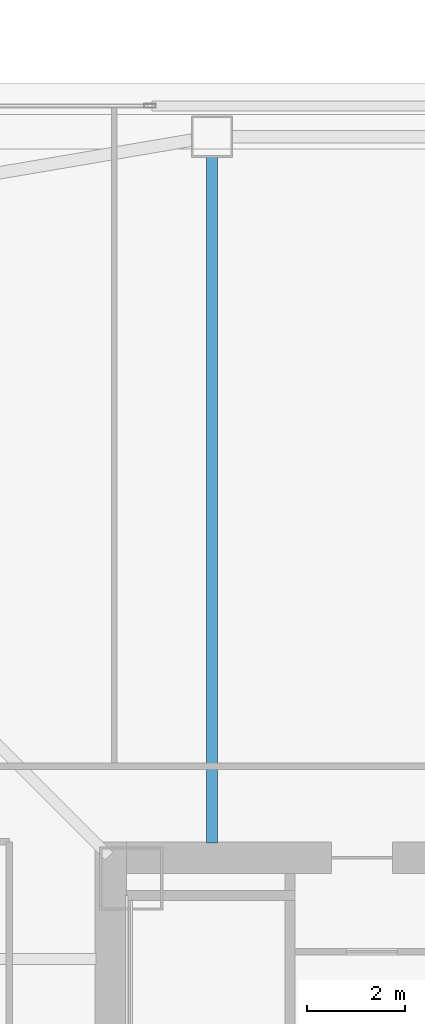
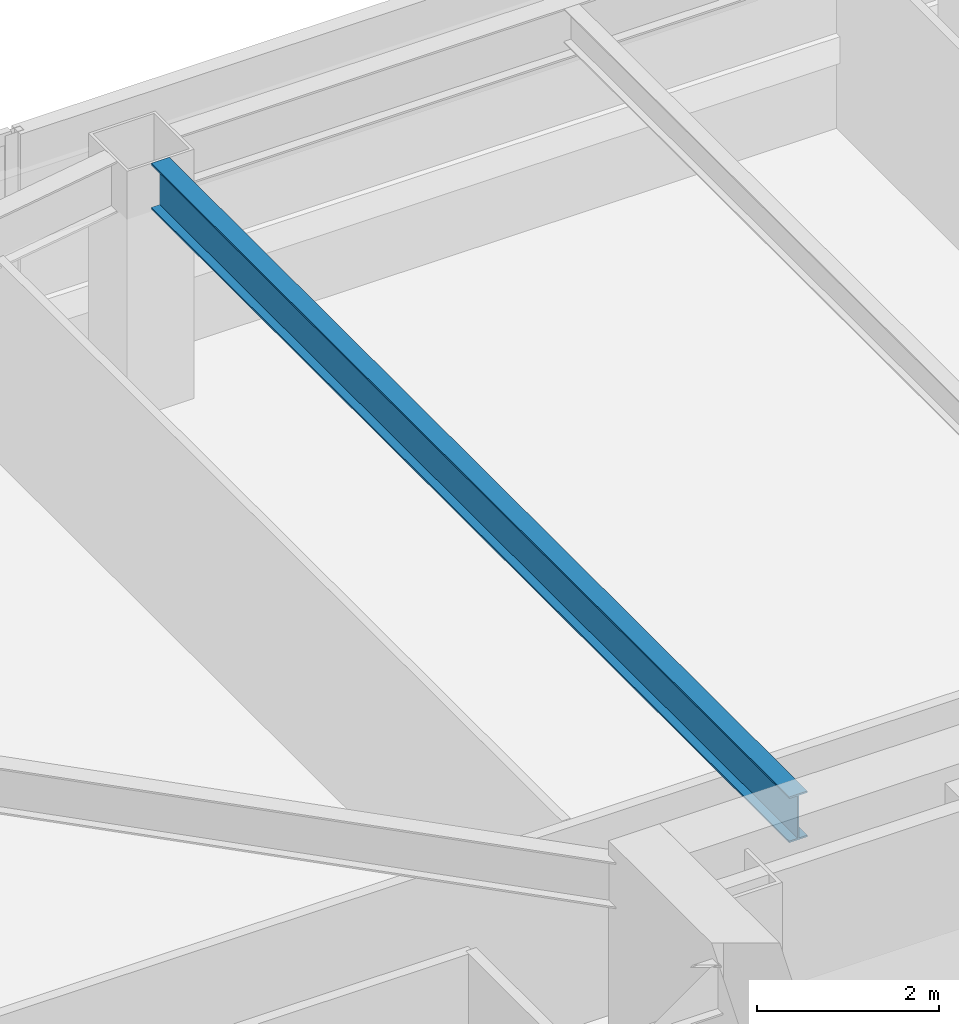
# One storey, part 14 of 62: 1 beam.
"""IFC4 building model written with IfcOpenShell, lengths in metres."""

from ifc_helpers import new_model, si_unit, direction, frame, origin, origin_2d, place, context, subcontext, project, spatial, i_section, extrude, material, material_profile, profile_set, type_object, element, save


model = new_model("IFC4")

# Units and contexts
model_context = context("Model", 3, precision=1e-05, world=origin(), true_north=direction((0.0, 1.0)))
body_context = subcontext(model_context, "Body", "Model", "MODEL_VIEW")
ifc_project = project(units=[si_unit("LENGTHUNIT", "METRE"), si_unit("AREAUNIT", "SQUARE_METRE"), si_unit("VOLUMEUNIT", "CUBIC_METRE"), si_unit("PLANEANGLEUNIT", "RADIAN"), si_unit("MASSUNIT", "GRAM", prefix="KILO")], contexts=[model_context])

# Site, building, storey
site_placement = place(None, origin())
site = spatial("IfcSite", under=ifc_project, at=site_placement, CompositionType="ELEMENT")
building_placement = place(site_placement, origin())
building = spatial("IfcBuilding", under=site, at=building_placement, Name="Tashvorn Skyway Center", CompositionType="ELEMENT")
storey_placement = place(building_placement, frame((0.0, 0.0, 28.14990234375)))
storey = spatial("IfcBuildingStorey", under=building, at=storey_placement, Name="L06", CompositionType="ELEMENT", Elevation=28.14990234375)

# Beam
ifc_material = material(Name="Steel ASTM A992 Grade 50", Category="steel")
ifc_material_profile = material_profile(ifc_material, i_section(OverallWidth=0.22998046875, OverallDepth=0.616943359375, WebThickness=0.01318359375, FlangeThickness=0.022216796875, at=origin_2d()), Name="W24X94")
ifc_profile_set = profile_set([ifc_material_profile], Name="Steel ASTM A992 Grade 50")
beam_type = type_object("IfcBeamType", Name="BM-BEAM-W24X94", PredefinedType="BEAM", material=ifc_profile_set)
beam_placement = place(storey_placement, frame((36.60009765625, 53.830078125, 3.04150390625), z_axis=(0.0, -1.0, 0.0), x_axis=(1.0, 0.0, 0.0)))
element("IfcBeam", 1, at=beam_placement, inside=storey, type_object=beam_type, Name="Tower 1 L06 Primary Floor Girder FC-N2", PredefinedType="BEAM", context=body_context, shape_type="SweptSolid", body=[
    extrude(i_section(OverallWidth=0.22998046875, OverallDepth=0.616943359375, WebThickness=0.01318359375, FlangeThickness=0.022216796875, at=origin_2d()), origin(), (0.0, 0.0, 1.0), 14.050048828125),
])

save(model, "model.ifc")
